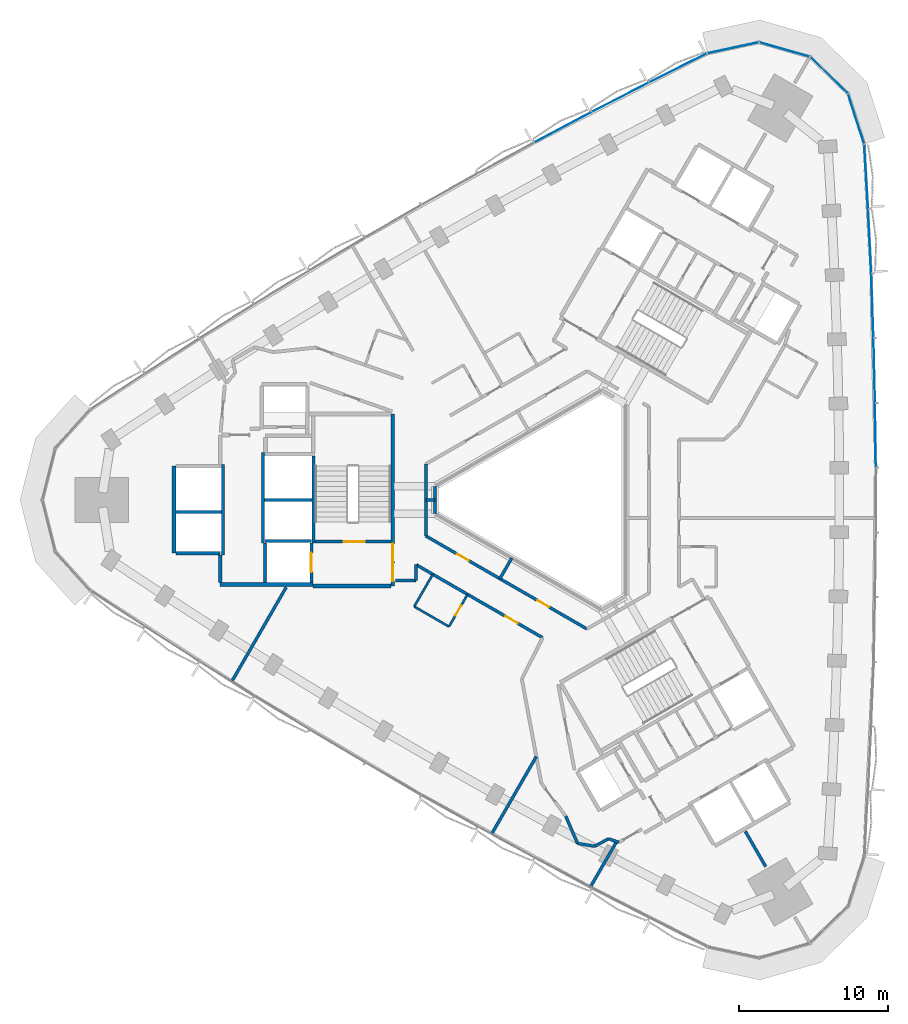
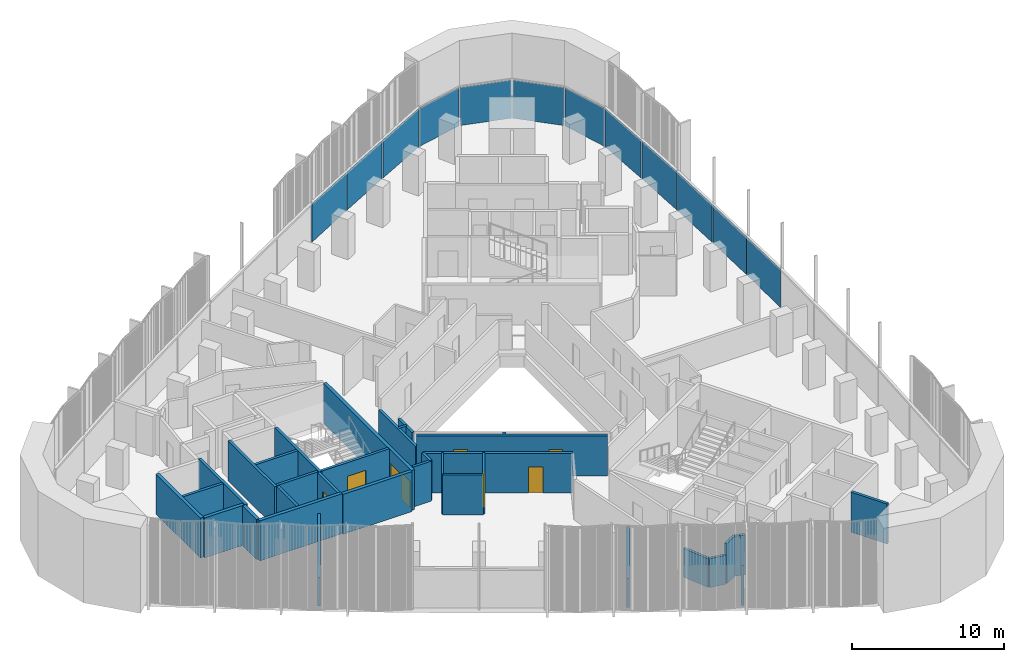
# One storey, part 7 of 14: 34 walls, 12 plates, 8 doors, 8 openings, 2 elements without a shape of their own.
"""IFC4 building model written with IfcOpenShell, lengths in metres."""

from ifc_helpers import new_model, si_unit, direction, frame, frame_2d, origin, origin_2d, place, context, subcontext, project, spatial, rectangle, extrude, material, layer, layer_set, type_object, element, fill, aggregate, save


model = new_model("IFC4")

# Units and contexts
model_context = context("Model", 3, precision=1e-05, world=origin(), true_north=direction((0.0, 1.0)))
body_context = subcontext(model_context, "Body", "Model", "MODEL_VIEW")
ifc_project = project(units=[si_unit("LENGTHUNIT", "METRE"), si_unit("AREAUNIT", "SQUARE_METRE"), si_unit("VOLUMEUNIT", "CUBIC_METRE"), si_unit("PLANEANGLEUNIT", "RADIAN"), si_unit("MASSUNIT", "GRAM", prefix="KILO")], contexts=[model_context])

# Site, building, storey
site_placement = place(None, origin())
site = spatial("IfcSite", under=ifc_project, at=site_placement, CompositionType="ELEMENT")
building_placement = place(site_placement, origin())
building = spatial("IfcBuilding", under=site, at=building_placement, Name="Tamra Quay Hotel Tower", CompositionType="ELEMENT")
storey_placement = place(building_placement, frame((0.0, 0.0, 150.39990234375)))
storey = spatial("IfcBuildingStorey", under=building, at=storey_placement, Name="L37", CompositionType="ELEMENT", Elevation=150.39990234375)

# Curtain wall, plates
ifc_material_1 = material(Name="Aluminium 6063 anodised dark grey", Category="aluminium")
curtain_wall_type_1 = type_object("IfcCurtainWallType", Name="CW1 CURTAIN WALL", PredefinedType="NOTDEFINED", material=ifc_material_1)
curtain_wall_1_placement = place(storey_placement, origin())
curtain_wall_1 = element("IfcCurtainWall", 1, at=curtain_wall_1_placement, inside=storey, type_object=curtain_wall_type_1, Name="CW1 east face L37", PredefinedType="NOTDEFINED")
ifc_material_2 = material(Name="Glass clear laminated low-iron", Category="glass")
ifc_layer_1 = layer(ifc_material_2, 0.031982421875)
ifc_layer_set_1 = layer_set([ifc_layer_1], Name="GLASS PANEL CW1 Z3")
plate_type_1 = type_object("IfcPlateType", Name="GLASS PANEL CW1 Z3", PredefinedType="CURTAIN_PANEL", material=ifc_layer_set_1)
plate_1_placement = place(storey_placement, frame((21.60546875, 4.3515625, 0.0), z_axis=(0.0, 0.0, 1.0), x_axis=(-0.011956859788, 0.999928514197, 0.0)))
plate_1 = element("IfcPlate", 2, at=plate_1_placement, type_object=plate_type_1, Name="CW1 glass L37.E.7", PredefinedType="CURTAIN_PANEL", context=body_context, shape_type="SweptSolid", body=[
    extrude(rectangle(XDim=4.2509765625, YDim=0.031982421875, at=origin_2d()), origin(), (0.0, 0.0, 1.0), 3.06005859375),
])
plate_2_placement = place(storey_placement, frame((21.527587890625, 8.70263671875, 0.0), z_axis=(0.0, 0.0, 1.0), x_axis=(-0.023895852937, 0.999714453338, 0.0)))
plate_2 = element("IfcPlate", 3, at=plate_2_placement, type_object=plate_type_1, Name="CW1 glass L37.E.8", PredefinedType="CURTAIN_PANEL", context=body_context, shape_type="SweptSolid", body=[
    extrude(rectangle(XDim=4.252685546875, YDim=0.031982421875, at=origin_2d()), origin(), (0.0, 0.0, 1.0), 3.06005859375),
])
plate_3_placement = place(storey_placement, frame((21.3974609375, 13.05322265625, 0.0), z_axis=(0.0, 0.0, 1.0), x_axis=(-0.035845418958, 0.999357346468, 0.0)))
plate_3 = element("IfcPlate", 4, at=plate_3_placement, type_object=plate_type_1, Name="CW1 glass L37.E.9", PredefinedType="CURTAIN_PANEL", context=body_context, shape_type="SweptSolid", body=[
    extrude(rectangle(XDim=4.252685546875, YDim=0.031982421875, at=origin_2d()), origin(), (0.0, 0.0, 1.0), 3.06005859375),
])
plate_4_placement = place(storey_placement, frame((21.215576171875, 17.401123046875, 0.0), z_axis=(0.0, 0.0, 1.0), x_axis=(-0.047747439326, 0.998859440581, 0.0)))
plate_4 = element("IfcPlate", 5, at=plate_4_placement, type_object=plate_type_1, Name="CW1 glass L37.E.10", PredefinedType="CURTAIN_PANEL", context=body_context, shape_type="SweptSolid", body=[
    extrude(rectangle(XDim=4.2509765625, YDim=0.031982421875, at=origin_2d()), origin(), (0.0, 0.0, 1.0), 3.06005859375),
])
plate_5_placement = place(storey_placement, frame((20.98193359375, 21.74609375, 0.0), z_axis=(0.0, 0.0, 1.0), x_axis=(-0.059641629271, 0.998219853568, 0.0)))
plate_5 = element("IfcPlate", 6, at=plate_5_placement, type_object=plate_type_1, Name="CW1 glass L37.E.11", PredefinedType="CURTAIN_PANEL", context=body_context, shape_type="SweptSolid", body=[
    extrude(rectangle(XDim=4.251708984375, YDim=0.031982421875, at=origin_2d()), origin(), (0.0, 0.0, 1.0), 3.06005859375),
])
plate_6_placement = place(storey_placement, frame((20.306884765625, 25.615234375, 0.0), z_axis=(0.0, 0.0, 1.0), x_axis=(-0.305914777883, 0.952058899792, 0.0)))
plate_6 = element("IfcPlate", 7, at=plate_6_placement, type_object=plate_type_1, Name="CW1 glass L37.E.12", PredefinedType="CURTAIN_PANEL", context=body_context, shape_type="SweptSolid", body=[
    extrude(rectangle(XDim=3.46484375, YDim=0.031982421875, at=origin_2d()), origin(), (0.0, 0.0, 1.0), 3.06005859375),
])
plate_7_placement = place(storey_placement, frame((18.480712890625, 28.5517578125, 0.0), z_axis=(0.0, 0.0, 1.0), x_axis=(-0.718584480635, 0.695439676888, 0.0)))
plate_7 = element("IfcPlate", 8, at=plate_7_placement, type_object=plate_type_1, Name="CW1 glass L37.E.13", PredefinedType="CURTAIN_PANEL", context=body_context, shape_type="SweptSolid", body=[
    extrude(rectangle(XDim=3.46484375, YDim=0.031982421875, at=origin_2d()), origin(), (0.0, 0.0, 1.0), 3.06005859375),
])
plate_8_placement = place(storey_placement, frame((15.486083984375, 30.28076171875, 0.0), z_axis=(0.0, 0.0, 1.0), x_axis=(-0.961560667302, 0.274592576551, 0.0)))
plate_8 = element("IfcPlate", 9, at=plate_8_placement, type_object=plate_type_1, Name="CW1 glass L37.E.14", PredefinedType="CURTAIN_PANEL", context=body_context, shape_type="SweptSolid", body=[
    extrude(rectangle(XDim=3.46484375, YDim=0.031982421875, at=origin_2d()), origin(), (0.0, 0.0, 1.0), 3.06005859375),
])
plate_9_placement = place(storey_placement, frame((12.030029296875, 30.393798828125, 0.0), z_axis=(0.0, 0.0, 1.0), x_axis=(-0.97746458206, -0.211099480856, 0.0)))
plate_9 = element("IfcPlate", 10, at=plate_9_placement, type_object=plate_type_1, Name="CW1 glass L37.E.15", PredefinedType="CURTAIN_PANEL", context=body_context, shape_type="SweptSolid", body=[
    extrude(rectangle(XDim=3.46484375, YDim=0.031982421875, at=origin_2d()), origin(), (0.0, 0.0, 1.0), 3.06005859375),
])
aggregate(curtain_wall_1, [plate_1, plate_2, plate_3, plate_4, plate_5, plate_6, plate_7, plate_8, plate_9])

curtain_wall_type_2 = type_object("IfcCurtainWallType", Name="CW2 CURTAIN WALL", PredefinedType="NOTDEFINED", material=ifc_material_1)
curtain_wall_2_placement = place(storey_placement, origin())
curtain_wall_2 = element("IfcCurtainWall", 11, at=curtain_wall_2_placement, inside=storey, type_object=curtain_wall_type_2, Name="CW2 north-west face L37", PredefinedType="NOTDEFINED")
ifc_layer_2 = layer(ifc_material_2, 0.031982421875)
ifc_layer_set_2 = layer_set([ifc_layer_2], Name="GLASS PANEL CW2 Z3")
plate_type_2 = type_object("IfcPlateType", Name="GLASS PANEL CW2 Z3", PredefinedType="CURTAIN_PANEL", material=ifc_layer_set_2)
plate_10_placement = place(storey_placement, frame((8.341796875, 29.0439453125, 0.0), z_axis=(0.0, 0.0, 1.0), x_axis=(-0.894304566387, -0.447458760713, 0.0)))
plate_10 = element("IfcPlate", 12, at=plate_10_placement, type_object=plate_type_2, Name="CW2 glass L37.NW.1", PredefinedType="CURTAIN_PANEL", context=body_context, shape_type="SweptSolid", body=[
    extrude(rectangle(XDim=4.251708984375, YDim=0.031982421875, at=origin_2d()), origin(), (0.0, 0.0, 1.0), 3.06005859375),
])
plate_11_placement = place(storey_placement, frame((4.462158203125, 27.073974609375, 0.0), z_axis=(0.0, 0.0, 1.0), x_axis=(-0.888911370016, -0.458079224868, 0.0)))
plate_11 = element("IfcPlate", 13, at=plate_11_placement, type_object=plate_type_2, Name="CW2 glass L37.NW.2", PredefinedType="CURTAIN_PANEL", context=body_context, shape_type="SweptSolid", body=[
    extrude(rectangle(XDim=4.2509765625, YDim=0.031982421875, at=origin_2d()), origin(), (0.0, 0.0, 1.0), 3.06005859375),
])
plate_12_placement = place(storey_placement, frame((0.605712890625, 25.057373046875, 0.0), z_axis=(0.0, 0.0, 1.0), x_axis=(-0.883391558979, -0.468635629808, 0.0)))
plate_12 = element("IfcPlate", 14, at=plate_12_placement, type_object=plate_type_2, Name="CW2 glass L37.NW.3", PredefinedType="CURTAIN_PANEL", context=body_context, shape_type="SweptSolid", body=[
    extrude(rectangle(XDim=4.252685546875, YDim=0.031982421875, at=origin_2d()), origin(), (0.0, 0.0, 1.0), 3.06005859375),
])
aggregate(curtain_wall_2, [plate_10, plate_11, plate_12])

# Walls
ifc_material_3 = material(Name="Concrete M70", Category="concrete")
ifc_layer_3 = layer(ifc_material_3, 0.199951171875)
ifc_layer_set_3 = layer_set([ifc_layer_3], Name="Concrete M70 core wall 200")
wall_type_1 = type_object("IfcWallType", Name="Concrete M70 core wall 200", PredefinedType="SHEAR", material=ifc_layer_set_3)
wall_1_placement = place(storey_placement, frame((-16.162109375, 2.95068359375, 0.0), z_axis=(0.0, 0.0, 1.0), x_axis=(0.0, -1.0, 0.0)))
element("IfcWall", 15, at=wall_1_placement, inside=storey, type_object=wall_type_1, Name="CW2", PredefinedType="SHEAR", context=body_context, shape_type="SweptSolid", body=[
    extrude(rectangle(XDim=5.850830078125, YDim=0.199951171875, at=frame_2d((2.92529296875, 0.0))), origin(), (0.0, 0.0, 1.0), 3.2001953125),
])
for number, where, z_axis, x_axis, name in (
    (16, (-19.5625, -2.900146484375, 0.0), (0.0, 0.0, 1.0), (0.0, 1.0, 0.0), "CW2"),
    (17, (-22.26220703125, 2.400146484375, 0.0), (0.0, 0.0, 1.0), (0.0, -1.0, 0.0), "CW2"),
):
    element("IfcWall", number, at=place(storey_placement, frame(where, z_axis=z_axis, x_axis=x_axis)), inside=storey, type_object=wall_type_1, Name=name, PredefinedType="SHEAR", context=body_context, shape_type="SweptSolid", body=[
        extrude(rectangle(XDim=6.100341796875, YDim=0.199951171875, at=frame_2d((3.05029296875, 0.0))), origin(), (0.0, 0.0, 1.0), 3.2001953125),
    ])

# Wall, opening, door
wall_2_placement = place(storey_placement, frame((-10.96337890625, -2.800048828125, 0.0), z_axis=(0.0, 0.0, 1.0), x_axis=(-1.0, 0.0, 0.0)))
wall_2 = element("IfcWall", 18, at=wall_2_placement, inside=storey, type_object=wall_type_1, Name="CW2", PredefinedType="SHEAR", context=body_context, shape_type="SweptSolid", body=[
    extrude(rectangle(XDim=5.097900390625, YDim=0.199951171875, at=frame_2d((2.548828125, 0.0))), origin(), (0.0, 0.0, 1.0), 3.2001953125),
])
opening_1_placement = place(wall_2_placement, frame((1.77392578125, 0.0, 0.0)))
opening_1 = element("IfcOpeningElement", 19, at=opening_1_placement, cuts=wall_2, Name="Opening FD2", PredefinedType="OPENING", context=body_context, shape_type="SweptSolid", body=[
    extrude(rectangle(XDim=1.39990234375, YDim=2.10009765625, at=frame_2d((0.699951171875, 1.050048828125))), frame((0.0, 0.10986328125, 0.0), z_axis=(0.0, -1.0, 0.0), x_axis=(1.0, 0.0, 0.0)), (0.0, 0.0, 1.0), 0.219970703125),
])
ifc_material_4 = material(Name="Core door FD2 1400x2100 LH")
door_type_1 = type_object("IfcDoorType", Name="Core door FD2 1400x2100 LH", OperationType="NOTDEFINED", PredefinedType="DOOR", material=ifc_material_4)
door_1_placement = place(opening_1_placement, origin())
door_1 = element("IfcDoor", 20, at=door_1_placement, inside=storey, type_object=door_type_1, Name="FD2", OperationType="SINGLE_SWING_LEFT", OverallHeight=2.10009765625, OverallWidth=1.39990234375, PredefinedType="DOOR", context=body_context, shape_type="SweptSolid", body=[
    extrude(rectangle(XDim=1.39990234375, YDim=2.10009765625, at=frame_2d((0.699951171875, 1.050048828125))), frame((0.0, 0.02490234375, 0.0), z_axis=(0.0, -1.0, 0.0), x_axis=(1.0, 0.0, 0.0)), (0.0, 0.0, 1.0), 0.050048828125),
])
fill(opening_1, door_1)

# Walls
wall_3_placement = place(storey_placement, frame((-16.26318359375, 0.0, 0.0), z_axis=(0.0, 0.0, 1.0), x_axis=(-1.0, 0.0, 0.0)))
element("IfcWall", 21, at=wall_3_placement, inside=storey, type_object=wall_type_1, Name="CW2", PredefinedType="SHEAR", context=body_context, shape_type="SweptSolid", body=[
    extrude(rectangle(XDim=3.1982421875, YDim=0.199951171875, at=frame_2d((1.59912109375, 0.0))), origin(), (0.0, 0.0, 1.0), 3.2001953125),
])
wall_4_placement = place(storey_placement, frame((-22.36328125, -0.800048828125, 0.0), z_axis=(0.0, 0.0, 1.0), x_axis=(-1.0, 0.0, 0.0)))
element("IfcWall", 22, at=wall_4_placement, inside=storey, type_object=wall_type_1, Name="CW2", PredefinedType="SHEAR", context=body_context, shape_type="SweptSolid", body=[
    extrude(rectangle(XDim=3.048095703125, YDim=0.199951171875, at=frame_2d((1.52392578125, 0.0))), origin(), (0.0, 0.0, 1.0), 3.2001953125),
])
wall_5_placement = place(storey_placement, frame((-19.412353515625, -2.75, 0.0), z_axis=(0.0, 0.0, 1.0), x_axis=(1.0, 0.0, 0.0)))
element("IfcWall", 23, at=wall_5_placement, inside=storey, type_object=wall_type_1, Name="CW2", PredefinedType="SHEAR", context=body_context, shape_type="SweptSolid", body=[
    extrude(rectangle(XDim=3.10009765625, YDim=0.199951171875, at=frame_2d((1.550048828125, 0.0))), origin(), (0.0, 0.0, 1.0), 3.2001953125),
])

# Wall, opening, door
wall_6_placement = place(storey_placement, frame((-16.312255859375, -2.898193359375, 0.0), z_axis=(0.0, 0.0, 1.0), x_axis=(0.0, -1.0, 0.0)))
wall_6 = element("IfcWall", 24, at=wall_6_placement, inside=storey, type_object=wall_type_1, Name="CW2", PredefinedType="SHEAR", context=body_context, shape_type="SweptSolid", body=[
    extrude(rectangle(XDim=2.65087890625, YDim=0.199951171875, at=frame_2d((1.325439453125, 0.0))), origin(), (0.0, 0.0, 1.0), 3.2001953125),
])
opening_2_placement = place(wall_6_placement, frame((0.65185546875, 0.0, 0.0)))
opening_2 = element("IfcOpeningElement", 25, at=opening_2_placement, cuts=wall_6, Name="Opening LD", PredefinedType="OPENING", context=body_context, shape_type="SweptSolid", body=[
    extrude(rectangle(XDim=1.300048828125, YDim=2.10009765625, at=frame_2d((0.64990234375, 1.050048828125))), frame((0.0, 0.10986328125, 0.0), z_axis=(0.0, -1.0, 0.0), x_axis=(1.0, 0.0, 0.0)), (0.0, 0.0, 1.0), 0.219970703125),
])
ifc_material_5 = material(Name="Landing door LD 1300 sliding to left")
door_type_2 = type_object("IfcDoorType", Name="Landing door LD 1300 sliding to left", OperationType="NOTDEFINED", PredefinedType="DOOR", material=ifc_material_5)
door_2_placement = place(opening_2_placement, origin())
door_2 = element("IfcDoor", 26, at=door_2_placement, inside=storey, type_object=door_type_2, Name="LD", OperationType="SLIDING_TO_LEFT", OverallHeight=2.10009765625, OverallWidth=1.300048828125, PredefinedType="DOOR", context=body_context, shape_type="SweptSolid", body=[
    extrude(rectangle(XDim=1.300048828125, YDim=2.10009765625, at=frame_2d((0.64990234375, 1.050048828125))), frame((0.0, 0.02490234375, 0.0), z_axis=(0.0, -1.0, 0.0), x_axis=(1.0, 0.0, 0.0)), (0.0, 0.0, 1.0), 0.050048828125),
])
fill(opening_2, door_2)

# Wall
wall_7_placement = place(storey_placement, frame((-19.412353515625, -5.549072265625, 0.0), z_axis=(0.0, 0.0, 1.0), x_axis=(0.0, 1.0, 0.0)))
element("IfcWall", 27, at=wall_7_placement, inside=storey, type_object=wall_type_1, Name="CW2", PredefinedType="SHEAR", context=body_context, shape_type="SweptSolid", body=[
    extrude(rectangle(XDim=2.65087890625, YDim=0.199951171875, at=frame_2d((1.325439453125, 0.0))), origin(), (0.0, 0.0, 1.0), 3.2001953125),
])

# Wall, openings, doors
ifc_layer_4 = layer(ifc_material_3, 0.25)
ifc_layer_set_4 = layer_set([ifc_layer_4], Name="Concrete M70 core wall 250")
wall_type_2 = type_object("IfcWallType", Name="Concrete M70 core wall 250", PredefinedType="SHEAR", material=ifc_layer_set_4)
wall_8_placement = place(storey_placement, frame((-10.83740234375, 5.77490234375, 0.0), z_axis=(0.0, 0.0, 1.0), x_axis=(0.0, -1.0, 0.0)))
wall_8 = element("IfcWall", 28, at=wall_8_placement, inside=storey, type_object=wall_type_2, Name="CW1", PredefinedType="SHEAR", context=body_context, shape_type="SweptSolid", body=[
    extrude(rectangle(XDim=11.5498046875, YDim=0.25, at=frame_2d((5.77490234375, 0.0))), origin(), (0.0, 0.0, 1.0), 3.2001953125),
])
opening_3_placement = place(wall_8_placement, frame((10.02490234375, 0.0, 0.0)))
opening_3 = element("IfcOpeningElement", 29, at=opening_3_placement, cuts=wall_8, Name="Opening FD1", PredefinedType="OPENING", context=body_context, shape_type="SweptSolid", body=[
    extrude(rectangle(XDim=1.199951171875, YDim=2.10009765625, at=frame_2d((0.60009765625, 1.050048828125))), frame((0.0, 0.135009765625, 0.0), z_axis=(0.0, -1.0, 0.0), x_axis=(1.0, 0.0, 0.0)), (0.0, 0.0, 1.0), 0.27001953125),
])
opening_4_placement = place(wall_8_placement, frame((8.72509765625, 0.0, 0.0)))
opening_4 = element("IfcOpeningElement", 30, at=opening_4_placement, cuts=wall_8, Name="Opening FD1", PredefinedType="OPENING", context=body_context, shape_type="SweptSolid", body=[
    extrude(rectangle(XDim=1.199951171875, YDim=2.10009765625, at=frame_2d((0.60009765625, 1.050048828125))), frame((0.0, 0.135009765625, 0.0), z_axis=(0.0, -1.0, 0.0), x_axis=(1.0, 0.0, 0.0)), (0.0, 0.0, 1.0), 0.27001953125),
])
ifc_material_6 = material(Name="Core door FD1 1200x2100 LH")
door_type_3 = type_object("IfcDoorType", Name="Core door FD1 1200x2100 LH", OperationType="NOTDEFINED", PredefinedType="DOOR", material=ifc_material_6)
door_3_placement = place(opening_3_placement, origin())
door_3 = element("IfcDoor", 31, at=door_3_placement, inside=storey, type_object=door_type_3, Name="FD1", OperationType="SINGLE_SWING_LEFT", OverallHeight=2.10009765625, OverallWidth=1.199951171875, PredefinedType="DOOR", context=body_context, shape_type="SweptSolid", body=[
    extrude(rectangle(XDim=1.199951171875, YDim=2.10009765625, at=frame_2d((0.60009765625, 1.050048828125))), frame((0.0, 0.02490234375, 0.0), z_axis=(0.0, -1.0, 0.0), x_axis=(1.0, 0.0, 0.0)), (0.0, 0.0, 1.0), 0.050048828125),
])
fill(opening_3, door_3)
ifc_material_7 = material(Name="Core door FD1 1200x2100 RH")
door_type_4 = type_object("IfcDoorType", Name="Core door FD1 1200x2100 RH", OperationType="NOTDEFINED", PredefinedType="DOOR", material=ifc_material_7)
door_4_placement = place(opening_4_placement, origin())
door_4 = element("IfcDoor", 32, at=door_4_placement, inside=storey, type_object=door_type_4, Name="FD1", OperationType="SINGLE_SWING_RIGHT", OverallHeight=2.10009765625, OverallWidth=1.199951171875, PredefinedType="DOOR", context=body_context, shape_type="SweptSolid", body=[
    extrude(rectangle(XDim=1.199951171875, YDim=2.10009765625, at=frame_2d((0.60009765625, 1.050048828125))), frame((0.0, 0.02490234375, 0.0), z_axis=(0.0, -1.0, 0.0), x_axis=(1.0, 0.0, 0.0)), (0.0, 0.0, 1.0), 0.050048828125),
])
fill(opening_4, door_4)

# Walls
wall_9_placement = place(storey_placement, frame((-16.187255859375, -5.675048828125, 0.0), z_axis=(0.0, 0.0, 1.0), x_axis=(-1.0, 0.0, 0.0)))
element("IfcWall", 33, at=wall_9_placement, inside=storey, type_object=wall_type_2, Name="CW1", PredefinedType="SHEAR", context=body_context, shape_type="SweptSolid", body=[
    extrude(rectangle(XDim=6.25, YDim=0.25, at=frame_2d((3.125, 0.0))), origin(), (0.0, 0.0, 1.0), 3.2001953125),
])
wall_10_placement = place(storey_placement, frame((-25.537353515625, -3.574951171875, 0.0), z_axis=(0.0, 0.0, 1.0), x_axis=(0.0, 1.0, 0.0)))
element("IfcWall", 34, at=wall_10_placement, inside=storey, type_object=wall_type_2, Name="CW1", PredefinedType="SHEAR", context=body_context, shape_type="SweptSolid", body=[
    extrude(rectangle(XDim=5.849853515625, YDim=0.25, at=frame_2d((2.9248046875, 0.0))), origin(), (0.0, 0.0, 1.0), 3.2001953125),
])
wall_11_placement = place(storey_placement, frame((-10.962646484375, -5.77490234375, 0.0), z_axis=(0.0, 0.0, 1.0), x_axis=(-1.0, 0.0, 0.0)))
element("IfcWall", 35, at=wall_11_placement, inside=storey, type_object=wall_type_2, Name="CW1", PredefinedType="SHEAR", context=body_context, shape_type="SweptSolid", body=[
    extrude(rectangle(XDim=5.224609375, YDim=0.25, at=frame_2d((2.6123046875, 0.0))), origin(), (0.0, 0.0, 1.0), 3.2001953125),
])
wall_12_placement = place(storey_placement, frame((-22.437255859375, -3.574951171875, 0.0), z_axis=(0.0, 0.0, 1.0), x_axis=(-1.0, 0.0, 0.0)))
element("IfcWall", 36, at=wall_12_placement, inside=storey, type_object=wall_type_2, Name="CW1", PredefinedType="SHEAR", context=body_context, shape_type="SweptSolid", body=[
    extrude(rectangle(XDim=2.974609375, YDim=0.25, at=frame_2d((1.4873046875, 0.0))), origin(), (0.0, 0.0, 1.0), 3.2001953125),
])
wall_13_placement = place(storey_placement, frame((-22.437255859375, -5.549560546875, 0.0), z_axis=(0.0, 0.0, 1.0), x_axis=(0.0, 1.0, 0.0)))
element("IfcWall", 37, at=wall_13_placement, inside=storey, type_object=wall_type_2, Name="CW1", PredefinedType="SHEAR", context=body_context, shape_type="SweptSolid", body=[
    extrude(rectangle(XDim=1.84912109375, YDim=0.25, at=frame_2d((0.924560546875, 0.0))), origin(), (0.0, 0.0, 1.0), 3.2001953125),
])
ifc_material_8 = material(Name="Partition corridor wall")
ifc_layer_5 = layer(ifc_material_8, 0.199951171875)
ifc_layer_set_5 = layer_set([ifc_layer_5], Name="Partition corridor wall")
wall_type_3 = type_object("IfcWallType", Name="Partition corridor wall", PredefinedType="PARTITIONING", material=ifc_layer_set_5)
wall_14_placement = place(storey_placement, frame((-10.65234375, -5.39990234375, 0.0), z_axis=(0.0, 0.0, 1.0), x_axis=(1.0, 0.0, 0.0)))
element("IfcWall", 38, at=wall_14_placement, inside=storey, type_object=wall_type_3, Name="W-C", PredefinedType="PARTITIONING", context=body_context, shape_type="SweptSolid", body=[
    extrude(rectangle(XDim=1.390380859375, YDim=0.199951171875, at=frame_2d((0.6953125, 0.0))), origin(), (0.0, 0.0, 1.0), 3.2001953125),
])
wall_15_placement = place(storey_placement, frame((-9.261962890625, -5.39990234375, 0.0), z_axis=(0.0, 0.0, 1.0), x_axis=(0.0, 1.0, 0.0)))
element("IfcWall", 39, at=wall_15_placement, inside=storey, type_object=wall_type_3, Name="W-C", PredefinedType="PARTITIONING", context=body_context, shape_type="SweptSolid", body=[
    extrude(rectangle(XDim=1.0478515625, YDim=0.199951171875, at=frame_2d((0.52392578125, 0.0))), origin(), (0.0, 0.0, 1.0), 3.2001953125),
])

# Wall, opening, door
wall_16_placement = place(storey_placement, frame((-9.261474609375, -4.35107421875, 0.0), z_axis=(0.0, 0.0, 1.0), x_axis=(0.865985037707, -0.500069909581, 0.0)))
wall_16 = element("IfcWall", 40, at=wall_16_placement, inside=storey, type_object=wall_type_3, Name="W-C", PredefinedType="PARTITIONING", context=body_context, shape_type="SweptSolid", body=[
    extrude(rectangle(XDim=9.8125, YDim=0.199951171875, at=frame_2d((4.90625, 0.0))), origin(), (0.0, 0.0, 1.0), 3.2001953125),
])
opening_5_placement = place(wall_16_placement, frame((6.92529296875, 0.0, 0.0)))
opening_5 = element("IfcOpeningElement", 41, at=opening_5_placement, cuts=wall_16, Name="Opening L37-D013", PredefinedType="OPENING", context=body_context, shape_type="SweptSolid", body=[
    extrude(rectangle(XDim=0.949951171875, YDim=2.10009765625, at=frame_2d((0.47509765625, 1.050048828125))), frame((0.0, 0.10986328125, 0.0), z_axis=(0.0, -1.0, 0.0), x_axis=(1.0, 0.0, 0.0)), (0.0, 0.0, 1.0), 0.219970703125),
])
ifc_material_9 = material(Name="Door guest room 950x2100")
door_type_5 = type_object("IfcDoorType", Name="Door guest room 950x2100", OperationType="NOTDEFINED", PredefinedType="DOOR", material=ifc_material_9)
door_5_placement = place(opening_5_placement, frame((0.949951171875, 0.0, 0.0), z_axis=(0.0, 0.0, 1.0), x_axis=(-1.0, 0.0, 0.0)))
door_5 = element("IfcDoor", 42, at=door_5_placement, inside=storey, type_object=door_type_5, Name="L37-D013", OperationType="SINGLE_SWING_LEFT", OverallHeight=2.10009765625, OverallWidth=0.949951171875, PredefinedType="DOOR", context=body_context, shape_type="SweptSolid", body=[
    extrude(rectangle(XDim=0.949951171875, YDim=2.10009765625, at=frame_2d((0.47509765625, 1.050048828125))), frame((0.0, 0.02490234375, 0.0), z_axis=(0.0, -1.0, 0.0), x_axis=(1.0, 0.0, 0.0)), (0.0, 0.0, 1.0), 0.050048828125),
])
fill(opening_5, door_5)

# Wall
wall_17_placement = place(storey_placement, frame((-8.612060546875, -2.41796875, 0.0), z_axis=(0.0, 0.0, 1.0), x_axis=(0.0, 1.0, 0.0)))
element("IfcWall", 43, at=wall_17_placement, inside=storey, type_object=wall_type_3, Name="W-C", PredefinedType="PARTITIONING", context=body_context, shape_type="SweptSolid", body=[
    extrude(rectangle(XDim=4.8359375, YDim=0.199951171875, at=frame_2d((2.41796875, 0.0))), origin(), (0.0, 0.0, 1.0), 2.300048828125),
])

# Wall, openings, doors
wall_18_placement = place(storey_placement, frame((-8.612060546875, -2.41796875, 0.0), z_axis=(0.0, 0.0, 1.0), x_axis=(0.866023916678, -0.500002575735, 0.0)))
wall_18 = element("IfcWall", 44, at=wall_18_placement, inside=storey, type_object=wall_type_3, Name="W-C", PredefinedType="PARTITIONING", context=body_context, shape_type="SweptSolid", body=[
    extrude(rectangle(XDim=12.49853515625, YDim=0.199951171875, at=frame_2d((6.249267578125, 0.0))), origin(), (0.0, 0.0, 1.0), 3.2001953125),
])
opening_6_placement = place(wall_18_placement, frame((2.427001953125, 0.0, 0.0)))
opening_6 = element("IfcOpeningElement", 45, at=opening_6_placement, cuts=wall_18, Name="Opening L37-D022", PredefinedType="OPENING", context=body_context, shape_type="SweptSolid", body=[
    extrude(rectangle(XDim=0.89990234375, YDim=2.10009765625, at=frame_2d((0.449951171875, 1.050048828125))), frame((0.0, 0.10986328125, 0.0), z_axis=(0.0, -1.0, 0.0), x_axis=(1.0, 0.0, 0.0)), (0.0, 0.0, 1.0), 0.219970703125),
])
opening_7_placement = place(wall_18_placement, frame((8.66455078125, 0.0, 0.0)))
opening_7 = element("IfcOpeningElement", 46, at=opening_7_placement, cuts=wall_18, Name="Opening L37-D023", PredefinedType="OPENING", context=body_context, shape_type="SweptSolid", body=[
    extrude(rectangle(XDim=0.89990234375, YDim=2.10009765625, at=frame_2d((0.449951171875, 1.050048828125))), frame((0.0, 0.10986328125, 0.0), z_axis=(0.0, -1.0, 0.0), x_axis=(1.0, 0.0, 0.0)), (0.0, 0.0, 1.0), 0.219970703125),
])
ifc_material_10 = material(Name="Door service room 900x2100")
door_type_6 = type_object("IfcDoorType", Name="Door service room 900x2100", OperationType="NOTDEFINED", PredefinedType="DOOR", material=ifc_material_10)
door_6_placement = place(opening_6_placement, origin())
door_6 = element("IfcDoor", 47, at=door_6_placement, inside=storey, type_object=door_type_6, Name="L37-D022", OperationType="SINGLE_SWING_LEFT", OverallHeight=2.10009765625, OverallWidth=0.89990234375, PredefinedType="DOOR", context=body_context, shape_type="SweptSolid", body=[
    extrude(rectangle(XDim=0.89990234375, YDim=2.10009765625, at=frame_2d((0.449951171875, 1.050048828125))), frame((0.0, 0.02490234375, 0.0), z_axis=(0.0, -1.0, 0.0), x_axis=(1.0, 0.0, 0.0)), (0.0, 0.0, 1.0), 0.050048828125),
])
fill(opening_6, door_6)
door_7_placement = place(opening_7_placement, origin())
door_7 = element("IfcDoor", 48, at=door_7_placement, inside=storey, type_object=door_type_6, Name="L37-D023", OperationType="SINGLE_SWING_LEFT", OverallHeight=2.10009765625, OverallWidth=0.89990234375, PredefinedType="DOOR", context=body_context, shape_type="SweptSolid", body=[
    extrude(rectangle(XDim=0.89990234375, YDim=2.10009765625, at=frame_2d((0.449951171875, 1.050048828125))), frame((0.0, 0.02490234375, 0.0), z_axis=(0.0, -1.0, 0.0), x_axis=(1.0, 0.0, 0.0)), (0.0, 0.0, 1.0), 0.050048828125),
])
fill(opening_7, door_7)

# Walls
wall_19_placement = place(storey_placement, frame((0.784912109375, -21.24609375, 0.0), z_axis=(0.0, 0.0, 1.0), x_axis=(0.398365586627, -0.917226721913, 0.0)))
element("IfcWall", 49, at=wall_19_placement, inside=storey, type_object=wall_type_3, Name="W-C", PredefinedType="PARTITIONING", context=body_context, shape_type="SweptSolid", body=[
    extrude(rectangle(XDim=2.005859375, YDim=0.199951171875, at=frame_2d((1.0029296875, 0.0))), origin(), (0.0, 0.0, 1.0), 2.300048828125),
])
wall_20_placement = place(storey_placement, frame((1.583984375, -23.0859375, 0.0), z_axis=(0.0, 0.0, 1.0), x_axis=(0.986654221629, -0.162829502674, 0.0)))
element("IfcWall", 50, at=wall_20_placement, inside=storey, type_object=wall_type_3, Name="W-C", PredefinedType="PARTITIONING", context=body_context, shape_type="SweptSolid", body=[
    extrude(rectangle(XDim=1.160400390625, YDim=0.199951171875, at=frame_2d((0.580078125, 0.0))), origin(), (0.0, 0.0, 1.0), 2.300048828125),
])
wall_21_placement = place(storey_placement, frame((2.72998046875, -23.27490234375, 0.0), z_axis=(0.0, 0.0, 1.0), x_axis=(0.880927165636, 0.473251866182, 0.0)))
element("IfcWall", 51, at=wall_21_placement, inside=storey, type_object=wall_type_3, Name="W-C", PredefinedType="PARTITIONING", context=body_context, shape_type="SweptSolid", body=[
    extrude(rectangle(XDim=1.064697265625, YDim=0.199951171875, at=frame_2d((0.5322265625, 0.0))), origin(), (0.0, 0.0, 1.0), 3.2001953125),
])
wall_22_placement = place(storey_placement, frame((3.66796875, -22.77099609375, 0.0), z_axis=(0.0, 0.0, 1.0), x_axis=(0.944447470761, -0.328662402738, 0.0)))
element("IfcWall", 52, at=wall_22_placement, inside=storey, type_object=wall_type_3, Name="W-C", PredefinedType="PARTITIONING", context=body_context, shape_type="SweptSolid", body=[
    extrude(rectangle(XDim=0.734619140625, YDim=0.199951171875, at=frame_2d((0.3671875, 0.0))), origin(), (0.0, 0.0, 1.0), 3.2001953125),
])
ifc_material_11 = material(Name="Partition en-suite wall")
ifc_layer_6 = layer(ifc_material_11, 0.14990234375)
ifc_layer_set_6 = layer_set([ifc_layer_6], Name="Partition en-suite wall")
wall_type_4 = type_object("IfcWallType", Name="Partition en-suite wall", PredefinedType="PARTITIONING", material=ifc_layer_set_6)
wall_23_placement = place(storey_placement, frame((-9.39599609375, -7.158935546875, 0.0), z_axis=(0.0, 0.0, 1.0), x_axis=(0.500091929049, 0.865972322018, 0.0)))
element("IfcWall", 53, at=wall_23_placement, inside=storey, type_object=wall_type_4, Name="W-E", PredefinedType="PARTITIONING", context=body_context, shape_type="SweptSolid", body=[
    extrude(rectangle(XDim=2.49755859375, YDim=0.14990234375, at=frame_2d((1.248779296875, 0.0))), origin(), (0.0, 0.0, 1.0), 3.2001953125),
])
wall_24_placement = place(storey_placement, frame((-9.39306640625, -7.1640625, 0.0), z_axis=(0.0, 0.0, 1.0), x_axis=(0.866098020528, -0.499874203012, 0.0)))
element("IfcWall", 54, at=wall_24_placement, inside=storey, type_object=wall_type_4, Name="W-E", PredefinedType="PARTITIONING", context=body_context, shape_type="SweptSolid", body=[
    extrude(rectangle(XDim=2.692626953125, YDim=0.14990234375, at=frame_2d((1.34619140625, 0.0))), origin(), (0.0, 0.0, 1.0), 3.2001953125),
])

# Wall, opening, door
wall_25_placement = place(storey_placement, frame((-7.055908203125, -8.507080078125, 0.0), z_axis=(0.0, 0.0, 1.0), x_axis=(0.499397145068, 0.866373182582, 0.0)))
wall_25 = element("IfcWall", 55, at=wall_25_placement, inside=storey, type_object=wall_type_4, Name="W-E", PredefinedType="PARTITIONING", context=body_context, shape_type="SweptSolid", body=[
    extrude(rectangle(XDim=2.49072265625, YDim=0.14990234375, at=frame_2d((1.245361328125, 0.0))), origin(), (0.0, 0.0, 1.0), 3.2001953125),
])
opening_8_placement = place(wall_25_placement, frame((0.84521484375, 0.0, 0.0)))
opening_8 = element("IfcOpeningElement", 56, at=opening_8_placement, cuts=wall_25, Name="Opening L37-D014", PredefinedType="OPENING", context=body_context, shape_type="SweptSolid", body=[
    extrude(rectangle(XDim=0.800048828125, YDim=2.10009765625, at=frame_2d((0.39990234375, 1.050048828125))), frame((0.0, 0.0849609375, 0.0), z_axis=(0.0, -1.0, 0.0), x_axis=(1.0, 0.0, 0.0)), (0.0, 0.0, 1.0), 0.169921875),
])
ifc_material_12 = material(Name="Door en-suite 800x2100")
door_type_7 = type_object("IfcDoorType", Name="Door en-suite 800x2100", OperationType="NOTDEFINED", PredefinedType="DOOR", material=ifc_material_12)
door_8_placement = place(opening_8_placement, origin())
door_8 = element("IfcDoor", 57, at=door_8_placement, inside=storey, type_object=door_type_7, Name="L37-D014", OperationType="SINGLE_SWING_LEFT", OverallHeight=2.10009765625, OverallWidth=0.800048828125, PredefinedType="DOOR", context=body_context, shape_type="SweptSolid", body=[
    extrude(rectangle(XDim=0.800048828125, YDim=2.10009765625, at=frame_2d((0.39990234375, 1.050048828125))), frame((0.0, 0.02490234375, 0.0), z_axis=(0.0, -1.0, 0.0), x_axis=(1.0, 0.0, 0.0)), (0.0, 0.0, 1.0), 0.050048828125),
])
fill(opening_8, door_8)

# Walls
ifc_material_13 = material(Name="Partition party wall")
ifc_layer_7 = layer(ifc_material_13, 0.199951171875)
ifc_layer_set_7 = layer_set([ifc_layer_7], Name="Partition party wall")
wall_type_5 = type_object("IfcWallType", Name="Partition party wall", PredefinedType="PARTITIONING", material=ifc_layer_set_7)
wall_26_placement = place(storey_placement, frame((-21.664306640625, -12.21044921875, 0.0), z_axis=(0.0, 0.0, 1.0), x_axis=(0.499938621367, 0.866060837855, 0.0)))
element("IfcWall", 58, at=wall_26_placement, inside=storey, type_object=wall_type_5, Name="W-P", PredefinedType="PARTITIONING", context=body_context, shape_type="SweptSolid", body=[
    extrude(rectangle(XDim=7.33251953125, YDim=0.199951171875, at=frame_2d((3.666259765625, 0.0))), origin(), (0.0, 0.0, 1.0), 2.300048828125),
])
wall_27_placement = place(storey_placement, frame((-8.60693359375, 0.0, 0.0), z_axis=(0.0, 0.0, 1.0), x_axis=(1.0, 0.0, 0.0)))
element("IfcWall", 59, at=wall_27_placement, inside=storey, type_object=wall_type_5, Name="W-P", PredefinedType="PARTITIONING", context=body_context, shape_type="SweptSolid", body=[
    extrude(rectangle(XDim=0.60693359375, YDim=0.199951171875, at=frame_2d((0.303466796875, 0.0))), origin(), (0.0, 0.0, 1.0), 2.300048828125),
])
wall_28_placement = place(storey_placement, frame((-8.0, -0.924072265625, 0.0), z_axis=(0.0, 0.0, 1.0), x_axis=(0.0, 1.0, 0.0)))
element("IfcWall", 60, at=wall_28_placement, inside=storey, type_object=wall_type_5, Name="W-P", PredefinedType="PARTITIONING", context=body_context, shape_type="SweptSolid", body=[
    extrude(rectangle(XDim=1.84814453125, YDim=0.199951171875, at=frame_2d((0.924072265625, 0.0))), origin(), (0.0, 0.0, 1.0), 2.300048828125),
])
wall_29_placement = place(storey_placement, frame((-4.1982421875, -22.458740234375, 0.0), z_axis=(0.0, 0.0, 1.0), x_axis=(0.499899163109, 0.866083614164, 0.0)))
element("IfcWall", 61, at=wall_29_placement, inside=storey, type_object=wall_type_5, Name="W-P", PredefinedType="PARTITIONING", context=body_context, shape_type="SweptSolid", body=[
    extrude(rectangle(XDim=6.019775390625, YDim=0.199951171875, at=frame_2d((3.009765625, 0.0))), origin(), (0.0, 0.0, 1.0), 2.300048828125),
])
wall_30_placement = place(storey_placement, frame((-3.638916015625, -5.2890625, 0.0), z_axis=(0.0, 0.0, 1.0), x_axis=(0.49981490623, 0.866132241352, 0.0)))
element("IfcWall", 62, at=wall_30_placement, inside=storey, type_object=wall_type_5, Name="W-P", PredefinedType="PARTITIONING", context=body_context, shape_type="SweptSolid", body=[
    extrude(rectangle(XDim=1.60009765625, YDim=0.199951171875, at=frame_2d((0.800048828125, 0.0))), origin(), (0.0, 0.0, 1.0), 2.300048828125),
])
wall_31_placement = place(storey_placement, frame((2.439208984375, -26.0244140625, 0.0), z_axis=(0.0, 0.0, 1.0), x_axis=(0.499989137667, 0.866031675065, 0.0)))
element("IfcWall", 63, at=wall_31_placement, inside=storey, type_object=wall_type_5, Name="W-P", PredefinedType="PARTITIONING", context=body_context, shape_type="SweptSolid", body=[
    extrude(rectangle(XDim=3.53955078125, YDim=0.199951171875, at=frame_2d((1.769775390625, 0.0))), origin(), (0.0, 0.0, 1.0), 3.2001953125),
])
wall_32_placement = place(storey_placement, frame((12.862548828125, -22.275390625, 0.0), z_axis=(0.0, 0.0, 1.0), x_axis=(0.49982784299, -0.866124775868, 0.0)))
element("IfcWall", 64, at=wall_32_placement, inside=storey, type_object=wall_type_5, Name="W-P", PredefinedType="PARTITIONING", context=body_context, shape_type="SweptSolid", body=[
    extrude(rectangle(XDim=2.74072265625, YDim=0.199951171875, at=frame_2d((1.370361328125, 0.0))), origin(), (0.0, 0.0, 1.0), 3.2001953125),
])

save(model, "model.ifc")
